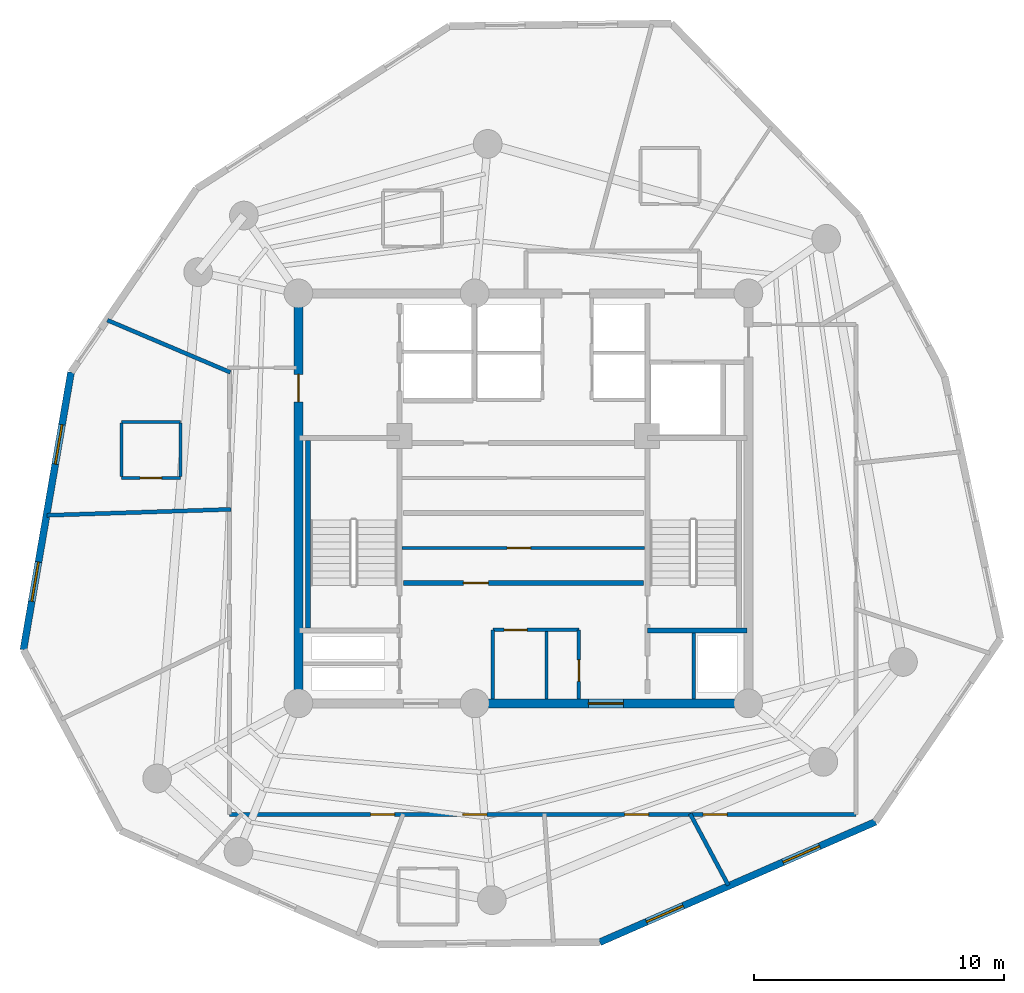
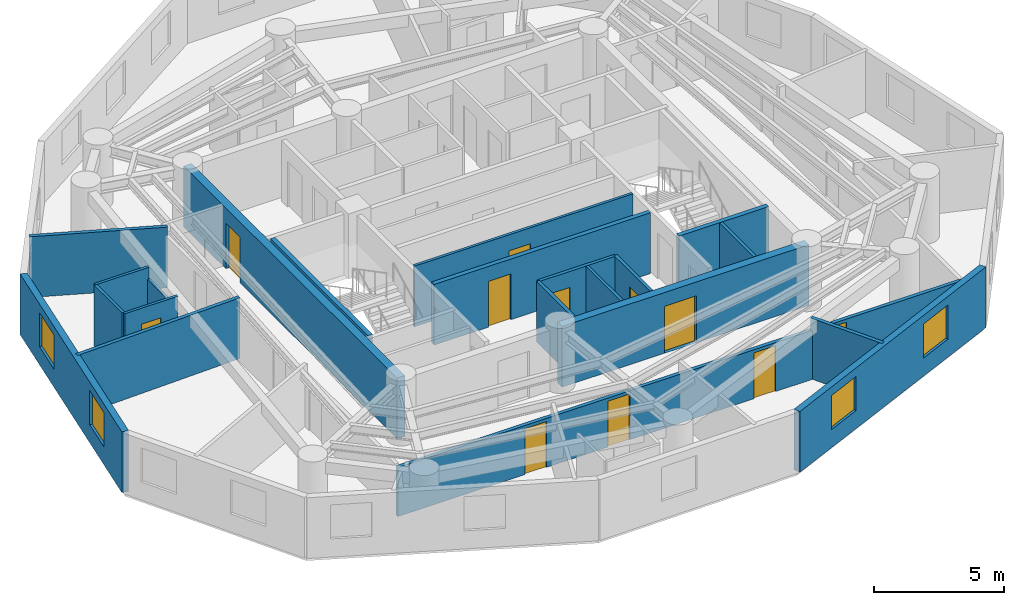
# One storey, part 3 of 7: 21 walls, 11 doors, 4 windows, 15 openings.
"""IFC4 building model written with IfcOpenShell, lengths in metres."""

from ifc_helpers import new_model, si_unit, direction, frame, frame_2d, origin, origin_with_axes, place, context, subcontext, project, spatial, rectangle, extrude, source, transform, mapped, material, layer, layer_set, type_object, element, fill, save


model = new_model("IFC4")

# Units and contexts
model_context = context("Model", 3, precision=1e-05, world=origin(), true_north=direction((0.0, 1.0)))
body_context = subcontext(model_context, "Body", "Model", "MODEL_VIEW")
ifc_project = project(units=[si_unit("LENGTHUNIT", "METRE"), si_unit("AREAUNIT", "SQUARE_METRE"), si_unit("VOLUMEUNIT", "CUBIC_METRE"), si_unit("PLANEANGLEUNIT", "RADIAN"), si_unit("MASSUNIT", "GRAM", prefix="KILO")], contexts=[model_context])

# Site, building, storey
site_placement = place(None, origin())
site = spatial("IfcSite", under=ifc_project, at=site_placement, CompositionType="ELEMENT")
building_placement = place(site_placement, origin())
building = spatial("IfcBuilding", under=site, at=building_placement, Name="Karkom Vertical University and Central Library", CompositionType="ELEMENT")
storey_placement = place(building_placement, frame((0.0, 0.0, 256.550048828125)))
storey = spatial("IfcBuildingStorey", under=building, at=storey_placement, Name="L76", CompositionType="ELEMENT", Elevation=256.550048828125)

# Wall, openings, windows
ifc_material_1 = material(Name="Brick-faced precast concrete C45/55", Category="masonry")
ifc_layer_1 = layer(ifc_material_1, 0.280029296875)
ifc_layer_set_1 = layer_set([ifc_layer_1], Name="Brick-faced precast concrete C45/55")
wall_type_1 = type_object("IfcWallType", Name="ENV-WL-BRK-280", PredefinedType="SOLIDWALL", material=ifc_layer_set_1)
wall_1_placement = place(storey_placement, frame((31.553955078125, 8.74560546875, 0.0), z_axis=(0.0, 0.0, 1.0), x_axis=(0.916405758195, 0.400250529477, 0.0)))
wall_1 = element("IfcWall", 1, at=wall_1_placement, inside=storey, type_object=wall_type_1, Name="Level 76 Brick-Faced Precast Facade Wall 04", PredefinedType="SOLIDWALL", context=body_context, shape_type="SweptSolid", body=[
    extrude(rectangle(XDim=12.035888671875, YDim=0.280029296875, at=frame_2d((6.01806640625, 0.0))), origin(), (0.0, 0.0, 1.0), 2.849853515625),
])
opening_1_placement = place(wall_1_placement, frame((2.041015625, 0.0, 0.85009765625)))
opening_1 = element("IfcOpeningElement", 2, at=opening_1_placement, cuts=wall_1, Name="Opening WN-10", PredefinedType="OPENING", context=body_context, shape_type="SweptSolid", body=[
    extrude(rectangle(XDim=1.60009765625, YDim=1.60009765625, at=frame_2d((0.800048828125, 0.800048828125))), frame((0.0, 0.14990234375, 0.0), z_axis=(0.0, -1.0, 0.0), x_axis=(1.0, 0.0, 0.0)), (0.0, 0.0, 1.0), 0.300048828125),
])
opening_2_placement = place(wall_1_placement, frame((7.998779296875, 0.0, 0.85009765625)))
opening_2 = element("IfcOpeningElement", 3, at=opening_2_placement, cuts=wall_1, Name="Opening WN-10", PredefinedType="OPENING", context=body_context, shape_type="SweptSolid", body=[
    extrude(rectangle(XDim=1.60009765625, YDim=1.60009765625, at=frame_2d((0.800048828125, 0.800048828125))), frame((0.0, 0.14990234375, 0.0), z_axis=(0.0, -1.0, 0.0), x_axis=(1.0, 0.0, 0.0)), (0.0, 0.0, 1.0), 0.300048828125),
])
ifc_material_2 = material(Name="Aluminium thermal-break frame with solar-control IGU", Category="aluminium")
window_type = type_object("IfcWindowType", Name="ENV-WIN-WN-10", PartitioningType="SINGLE_PANEL", PredefinedType="WINDOW", material=ifc_material_2)
shared_shape_1 = source(origin_with_axes(), body_context, "Body", "SweptSolid", [
    extrude(rectangle(XDim=1.60009765625, YDim=1.60009765625, at=frame_2d((0.800048828125, 0.800048828125))), frame((0.0, 0.030029296875, 0.0), z_axis=(0.0, -1.0, 0.0), x_axis=(1.0, 0.0, 0.0)), (0.0, 0.0, 1.0), 0.06005859375),
])
window_1_placement = place(opening_1_placement, origin())
window_1 = element("IfcWindow", 4, at=window_1_placement, inside=storey, type_object=window_type, Name="Level 76 Punched Window 4.1", OverallHeight=1.60009765625, OverallWidth=1.60009765625, PartitioningType="SINGLE_PANEL", PredefinedType="WINDOW", context=body_context, shape_type="MappedRepresentation", body=[
    mapped(shared_shape_1, transform((0.0, 0.0, 0.0), scale=1.0)),
])
fill(opening_1, window_1)
window_2_placement = place(opening_2_placement, origin())
window_2 = element("IfcWindow", 5, at=window_2_placement, inside=storey, type_object=window_type, Name="Level 76 Punched Window 4.2", OverallHeight=1.60009765625, OverallWidth=1.60009765625, PartitioningType="SINGLE_PANEL", PredefinedType="WINDOW", context=body_context, shape_type="MappedRepresentation", body=[
    mapped(shared_shape_1, transform((0.0, 0.0, 0.0), scale=1.0)),
])
fill(opening_2, window_2)

wall_2_placement = place(storey_placement, frame((10.405517578125, 31.546142578125, 0.0), z_axis=(0.0, 0.0, 1.0), x_axis=(-0.168983062071, -0.985618955141, 0.0)))
wall_2 = element("IfcWall", 6, at=wall_2_placement, inside=storey, type_object=wall_type_1, Name="Level 76 Brick-Faced Precast Facade Wall 12", PredefinedType="SOLIDWALL", context=body_context, shape_type="SweptSolid", body=[
    extrude(rectangle(XDim=11.266357421875, YDim=0.280029296875, at=frame_2d((5.63330078125, 0.0))), origin(), (0.0, 0.0, 1.0), 2.849853515625),
])
opening_3_placement = place(wall_2_placement, frame((2.12744140625, 0.0, 0.85009765625)))
opening_3 = element("IfcOpeningElement", 7, at=opening_3_placement, cuts=wall_2, Name="Opening WN-10", PredefinedType="OPENING", context=body_context, shape_type="SweptSolid", body=[
    extrude(rectangle(XDim=1.60009765625, YDim=1.60009765625, at=frame_2d((0.800048828125, 0.800048828125))), frame((0.0, 0.14990234375, 0.0), z_axis=(0.0, -1.0, 0.0), x_axis=(1.0, 0.0, 0.0)), (0.0, 0.0, 1.0), 0.300048828125),
])
opening_4_placement = place(wall_2_placement, frame((7.70068359375, 0.0, 0.85009765625)))
opening_4 = element("IfcOpeningElement", 8, at=opening_4_placement, cuts=wall_2, Name="Opening WN-10", PredefinedType="OPENING", context=body_context, shape_type="SweptSolid", body=[
    extrude(rectangle(XDim=1.60009765625, YDim=1.60009765625, at=frame_2d((0.800048828125, 0.800048828125))), frame((0.0, 0.14990234375, 0.0), z_axis=(0.0, -1.0, 0.0), x_axis=(1.0, 0.0, 0.0)), (0.0, 0.0, 1.0), 0.300048828125),
])
window_3_placement = place(opening_3_placement, origin())
window_3 = element("IfcWindow", 9, at=window_3_placement, inside=storey, type_object=window_type, Name="Level 76 Punched Window 12.1", OverallHeight=1.60009765625, OverallWidth=1.60009765625, PartitioningType="SINGLE_PANEL", PredefinedType="WINDOW", context=body_context, shape_type="MappedRepresentation", body=[
    mapped(shared_shape_1, transform((0.0, 0.0, 0.0), scale=1.0)),
])
fill(opening_3, window_3)
window_4_placement = place(opening_4_placement, origin())
window_4 = element("IfcWindow", 10, at=window_4_placement, inside=storey, type_object=window_type, Name="Level 76 Punched Window 12.2", OverallHeight=1.60009765625, OverallWidth=1.60009765625, PartitioningType="SINGLE_PANEL", PredefinedType="WINDOW", context=body_context, shape_type="MappedRepresentation", body=[
    mapped(shared_shape_1, transform((0.0, 0.0, 0.0), scale=1.0)),
])
fill(opening_4, window_4)

# Wall, openings, doors
ifc_material_3 = material(Name="Insulated metal-stud drywall 160mm", Category="gypsum")
ifc_layer_2 = layer(ifc_material_3, 0.159912109375)
ifc_layer_set_2 = layer_set([ifc_layer_2], Name="Insulated metal-stud drywall 160mm")
wall_type_2 = type_object("IfcWallType", Name="INT-WL-COR-160", PredefinedType="PARTITIONING", material=ifc_layer_set_2)
wall_3_placement = place(storey_placement, frame((41.800048828125, 13.85009765625, 0.0), z_axis=(0.0, 0.0, 1.0), x_axis=(-1.0, 0.0, 0.0)))
wall_3 = element("IfcWall", 11, at=wall_3_placement, inside=storey, type_object=wall_type_2, Name="Level 76 Interior Partition Wall L76-CORW-CW-001", PredefinedType="PARTITIONING", context=body_context, shape_type="SweptSolid", body=[
    extrude(rectangle(XDim=25.050048828125, YDim=0.159912109375, at=frame_2d((12.52490234375, 0.0))), origin(), (0.0, 0.0, 1.0), 2.300048828125),
])
opening_5_placement = place(wall_3_placement, frame((14.7626953125, 0.0, 0.0)))
opening_5 = element("IfcOpeningElement", 12, at=opening_5_placement, cuts=wall_3, Name="Opening FD-RM2", PredefinedType="OPENING", context=body_context, shape_type="SweptSolid", body=[
    extrude(rectangle(XDim=0.9599609375, YDim=2.14990234375, at=frame_2d((0.47998046875, 1.074951171875))), frame((0.0, 0.08984375, 0.0), z_axis=(0.0, -1.0, 0.0), x_axis=(1.0, 0.0, 0.0)), (0.0, 0.0, 1.0), 0.179931640625),
])
opening_6_placement = place(wall_3_placement, frame((18.452392578125, 0.0, 0.0)))
opening_6 = element("IfcOpeningElement", 13, at=opening_6_placement, cuts=wall_3, Name="Opening FD-RM2", PredefinedType="OPENING", context=body_context, shape_type="SweptSolid", body=[
    extrude(rectangle(XDim=0.9599609375, YDim=2.14990234375, at=frame_2d((0.47998046875, 1.074951171875))), frame((0.0, 0.08984375, 0.0), z_axis=(0.0, -1.0, 0.0), x_axis=(1.0, 0.0, 0.0)), (0.0, 0.0, 1.0), 0.179931640625),
])
opening_7_placement = place(wall_3_placement, frame((8.29248046875, 0.0, 0.0)))
opening_7 = element("IfcOpeningElement", 14, at=opening_7_placement, cuts=wall_3, Name="Opening FD-RM2", PredefinedType="OPENING", context=body_context, shape_type="SweptSolid", body=[
    extrude(rectangle(XDim=0.9599609375, YDim=2.14990234375, at=frame_2d((0.47998046875, 1.074951171875))), frame((0.0, 0.08984375, 0.0), z_axis=(0.0, -1.0, 0.0), x_axis=(1.0, 0.0, 0.0)), (0.0, 0.0, 1.0), 0.179931640625),
])
opening_8_placement = place(wall_3_placement, frame((5.1474609375, 0.0, 0.0)))
opening_8 = element("IfcOpeningElement", 15, at=opening_8_placement, cuts=wall_3, Name="Opening FD-RM2", PredefinedType="OPENING", context=body_context, shape_type="SweptSolid", body=[
    extrude(rectangle(XDim=0.9599609375, YDim=2.14990234375, at=frame_2d((0.47998046875, 1.074951171875))), frame((0.0, 0.08984375, 0.0), z_axis=(0.0, -1.0, 0.0), x_axis=(1.0, 0.0, 0.0)), (0.0, 0.0, 1.0), 0.179931640625),
])
ifc_material_4 = material(Name="Fire-rated oak veneer door", Category="wood")
door_type_1 = type_object("IfcDoorType", Name="INT-DR-FRM2", OperationType="NOTDEFINED", PredefinedType="DOOR", material=ifc_material_4)
shared_shape_2 = source(origin_with_axes(), body_context, "Body", "SweptSolid", [
    extrude(rectangle(XDim=0.9599609375, YDim=2.14990234375, at=frame_2d((0.47998046875, 1.074951171875))), frame((0.0, 0.02490234375, 0.0), z_axis=(0.0, -1.0, 0.0), x_axis=(1.0, 0.0, 0.0)), (0.0, 0.0, 1.0), 0.050048828125),
])
door_1_placement = place(opening_5_placement, origin())
door_1 = element("IfcDoor", 16, at=door_1_placement, inside=storey, type_object=door_type_1, Name="Level 76 Room Entry Door 406", OperationType="SINGLE_SWING_RIGHT", OverallHeight=2.14990234375, OverallWidth=0.9599609375, PredefinedType="DOOR", context=body_context, shape_type="MappedRepresentation", body=[
    mapped(shared_shape_2, transform((0.0, 0.0, 0.0), scale=1.0)),
])
fill(opening_5, door_1)
door_2_placement = place(opening_6_placement, origin())
door_2 = element("IfcDoor", 17, at=door_2_placement, inside=storey, type_object=door_type_1, Name="Level 76 Room Entry Door 302", OperationType="SINGLE_SWING_RIGHT", OverallHeight=2.14990234375, OverallWidth=0.9599609375, PredefinedType="DOOR", context=body_context, shape_type="MappedRepresentation", body=[
    mapped(shared_shape_2, transform((0.0, 0.0, 0.0), scale=1.0)),
])
fill(opening_6, door_2)
door_3_placement = place(opening_7_placement, origin())
door_3 = element("IfcDoor", 18, at=door_3_placement, inside=storey, type_object=door_type_1, Name="Level 76 Room Entry Door 304", OperationType="SINGLE_SWING_LEFT", OverallHeight=2.14990234375, OverallWidth=0.9599609375, PredefinedType="DOOR", context=body_context, shape_type="MappedRepresentation", body=[
    mapped(shared_shape_2, transform((0.0, 0.0, 0.0), scale=1.0)),
])
fill(opening_7, door_3)
door_4_placement = place(opening_8_placement, origin())
door_4 = element("IfcDoor", 19, at=door_4_placement, inside=storey, type_object=door_type_1, Name="Level 76 Room Entry Door 305", OperationType="SINGLE_SWING_RIGHT", OverallHeight=2.14990234375, OverallWidth=0.9599609375, PredefinedType="DOOR", context=body_context, shape_type="MappedRepresentation", body=[
    mapped(shared_shape_2, transform((0.0, 0.0, 0.0), scale=1.0)),
])
fill(opening_8, door_4)

# Walls
wall_4_placement = place(storey_placement, frame((9.450927734375, 25.823486328125, 0.0), z_axis=(0.0, 0.0, 1.0), x_axis=(0.999477313038, 0.032328017605, 0.0)))
element("IfcWall", 20, at=wall_4_placement, inside=storey, type_object=wall_type_2, Name="Level 76 Interior Partition Wall L76-PW-002", PredefinedType="PARTITIONING", context=body_context, shape_type="SweptSolid", body=[
    extrude(rectangle(XDim=7.34814453125, YDim=0.159912109375, at=frame_2d((3.674072265625, 0.0))), origin(), (0.0, 0.0, 1.0), 2.849853515625),
])
wall_5_placement = place(storey_placement, frame((16.777587890625, 31.541015625, 0.0), z_axis=(0.0, 0.0, 1.0), x_axis=(-0.920498619333, 0.390745814829, 0.0)))
element("IfcWall", 21, at=wall_5_placement, inside=storey, type_object=wall_type_2, Name="Level 76 Interior Partition Wall L76-PW-013", PredefinedType="PARTITIONING", context=body_context, shape_type="SweptSolid", body=[
    extrude(rectangle(XDim=5.3427734375, YDim=0.159912109375, at=frame_2d((2.67138671875, 0.0))), origin(), (0.0, 0.0, 1.0), 2.849853515625),
])
wall_6_placement = place(storey_placement, frame((35.165771484375, 13.8896484375, 0.0), z_axis=(0.0, 0.0, 1.0), x_axis=(0.471094475936, -0.882082759577, 0.0)))
element("IfcWall", 22, at=wall_6_placement, inside=storey, type_object=wall_type_2, Name="Level 76 Interior Partition Wall L76-PW-008", PredefinedType="PARTITIONING", context=body_context, shape_type="SweptSolid", body=[
    extrude(rectangle(XDim=3.25341796875, YDim=0.159912109375, at=frame_2d((1.626708984375, 0.0))), origin(), (0.0, 0.0, 1.0), 2.849853515625),
])
ifc_material_5 = material(Name="Moisture-resistant drywall 120mm", Category="gypsum")
ifc_layer_3 = layer(ifc_material_5, 0.1201171875)
ifc_layer_set_3 = layer_set([ifc_layer_3], Name="Moisture-resistant drywall 120mm")
wall_type_3 = type_object("IfcWallType", Name="INT-WL-INT-120", PredefinedType="PARTITIONING", material=ifc_layer_set_3)
wall_7_placement = place(storey_placement, frame((29.419921875, 18.48193359375, 0.0), z_axis=(0.0, 0.0, 1.0), x_axis=(0.0, 1.0, 0.0)))
element("IfcWall", 23, at=wall_7_placement, inside=storey, type_object=wall_type_3, Name="Level 76 Interior Partition Wall L76-CW-K3-DIV", PredefinedType="PARTITIONING", context=body_context, shape_type="SweptSolid", body=[
    extrude(rectangle(XDim=2.687255859375, YDim=0.1201171875, at=frame_2d((1.34375, 0.0))), origin(), (0.0, 0.0, 1.0), 2.849853515625),
])

# Wall, opening, door
ifc_layer_4 = layer(ifc_material_5, 0.1201171875)
ifc_layer_set_4 = layer_set([ifc_layer_4], Name="Moisture-resistant drywall 120mm")
wall_type_4 = type_object("IfcWallType", Name="INT-WL-INT-120F", PredefinedType="PARTITIONING", material=ifc_layer_set_4)
wall_8_placement = place(storey_placement, frame((23.652099609375, 24.52001953125, 0.0), z_axis=(0.0, 0.0, 1.0), x_axis=(1.0, 0.0, 0.0)))
wall_8 = element("IfcWall", 24, at=wall_8_placement, inside=storey, type_object=wall_type_4, Name="Level 76 Interior Partition Wall L76-CW-B1-K3H", PredefinedType="PARTITIONING", context=body_context, shape_type="SweptSolid", body=[
    extrude(rectangle(XDim=9.697509765625, YDim=0.1201171875, at=frame_2d((4.8486328125, 0.0))), origin(), (0.0, 0.0, 1.0), 2.849853515625),
])
opening_9_placement = place(wall_8_placement, frame((4.199951171875, 0.0, 0.0)))
opening_9 = element("IfcOpeningElement", 25, at=opening_9_placement, cuts=wall_8, Name="Opening D-WC1", PredefinedType="OPENING", context=body_context, shape_type="SweptSolid", body=[
    extrude(rectangle(XDim=0.93994140625, YDim=2.10009765625, at=frame_2d((0.469970703125, 1.050048828125))), frame((0.0, 0.070068359375, 0.0), z_axis=(0.0, -1.0, 0.0), x_axis=(1.0, 0.0, 0.0)), (0.0, 0.0, 1.0), 0.14013671875),
])
ifc_material_6 = material(Name="Fire-rated laminate moisture-resistant door", Category="wood")
door_type_2 = type_object("IfcDoorType", Name="INT-DR-WC1", OperationType="NOTDEFINED", PredefinedType="DOOR", material=ifc_material_6)
shared_shape_3 = source(origin_with_axes(), body_context, "Body", "SweptSolid", [
    extrude(rectangle(XDim=0.93994140625, YDim=2.10009765625, at=frame_2d((0.469970703125, 1.050048828125))), frame((0.0, 0.02490234375, 0.0), z_axis=(0.0, -1.0, 0.0), x_axis=(1.0, 0.0, 0.0)), (0.0, 0.0, 1.0), 0.050048828125),
])
door_5_placement = place(opening_9_placement, origin())
door_5 = element("IfcDoor", 26, at=door_5_placement, inside=storey, type_object=door_type_2, Name="Level 76 B1 Core WC Strip Door", OperationType="SINGLE_SWING_LEFT", OverallHeight=2.10009765625, OverallWidth=0.93994140625, PredefinedType="DOOR", context=body_context, shape_type="MappedRepresentation", body=[
    mapped(shared_shape_3, transform((0.0, 0.0, 0.0), scale=1.0)),
])
fill(opening_9, door_5)

wall_9_placement = place(storey_placement, frame((12.41796875, 27.319091796875, 0.0), z_axis=(0.0, 0.0, 1.0), x_axis=(1.0, 0.0, 0.0)))
wall_9 = element("IfcWall", 27, at=wall_9_placement, inside=storey, type_object=wall_type_4, Name="Level 76 Interior Partition Wall L76-ENS-50-S", PredefinedType="PARTITIONING", context=body_context, shape_type="SweptSolid", body=[
    extrude(rectangle(XDim=2.360107421875, YDim=0.1201171875, at=frame_2d((1.18017578125, 0.0))), origin(), (0.0, 0.0, 1.0), 2.849853515625),
])
opening_10_placement = place(wall_9_placement, frame((0.75, 0.0, 0.0)))
opening_10 = element("IfcOpeningElement", 28, at=opening_10_placement, cuts=wall_9, Name="Opening D-BATH", PredefinedType="OPENING", context=body_context, shape_type="SweptSolid", body=[
    extrude(rectangle(XDim=0.860107421875, YDim=2.10009765625, at=frame_2d((0.43017578125, 1.050048828125))), frame((0.0, 0.070068359375, 0.0), z_axis=(0.0, -1.0, 0.0), x_axis=(1.0, 0.0, 0.0)), (0.0, 0.0, 1.0), 0.14013671875),
])
ifc_material_7 = material(Name="Moisture-resistant oak door", Category="wood")
door_type_3 = type_object("IfcDoorType", Name="INT-DR-BATH", OperationType="NOTDEFINED", PredefinedType="DOOR", material=ifc_material_7)
shared_shape_4 = source(origin_with_axes(), body_context, "Body", "SweptSolid", [
    extrude(rectangle(XDim=0.860107421875, YDim=2.10009765625, at=frame_2d((0.43017578125, 1.050048828125))), frame((0.0, 0.02490234375, 0.0), z_axis=(0.0, -1.0, 0.0), x_axis=(1.0, 0.0, 0.0)), (0.0, 0.0, 1.0), 0.050048828125),
])
door_6_placement = place(opening_10_placement, origin())
door_6 = element("IfcDoor", 29, at=door_6_placement, inside=storey, type_object=door_type_3, Name="Level 76 En-Suite Bathroom Door 50", OperationType="SINGLE_SWING_RIGHT", OverallHeight=2.10009765625, OverallWidth=0.860107421875, PredefinedType="DOOR", context=body_context, shape_type="MappedRepresentation", body=[
    mapped(shared_shape_4, transform((0.0, 0.0, 0.0), scale=1.0)),
])
fill(opening_10, door_6)

# Walls
wall_10_placement = place(storey_placement, frame((14.778076171875, 29.55908203125, 0.0), z_axis=(0.0, 0.0, 1.0), x_axis=(-1.0, 0.0, 0.0)))
element("IfcWall", 30, at=wall_10_placement, inside=storey, type_object=wall_type_4, Name="Level 76 Interior Partition Wall L76-ENS-50-N", PredefinedType="PARTITIONING", context=body_context, shape_type="SweptSolid", body=[
    extrude(rectangle(XDim=2.360107421875, YDim=0.1201171875, at=frame_2d((1.18017578125, 0.0))), origin(), (0.0, 0.0, 1.0), 2.849853515625),
])
wall_11_placement = place(storey_placement, frame((14.778076171875, 27.368896484375, 0.0), z_axis=(0.0, 0.0, 1.0), x_axis=(0.0, 1.0, 0.0)))
element("IfcWall", 31, at=wall_11_placement, inside=storey, type_object=wall_type_4, Name="Level 76 Interior Partition Wall L76-ENS-50-E", PredefinedType="PARTITIONING", context=body_context, shape_type="SweptSolid", body=[
    extrude(rectangle(XDim=2.14013671875, YDim=0.1201171875, at=frame_2d((1.070068359375, 0.0))), origin(), (0.0, 0.0, 1.0), 2.300048828125),
])
wall_12_placement = place(storey_placement, frame((12.41796875, 29.509033203125, 0.0), z_axis=(0.0, 0.0, 1.0), x_axis=(0.0, -1.0, 0.0)))
element("IfcWall", 32, at=wall_12_placement, inside=storey, type_object=wall_type_4, Name="Level 76 Interior Partition Wall L76-ENS-50-W", PredefinedType="PARTITIONING", context=body_context, shape_type="SweptSolid", body=[
    extrude(rectangle(XDim=2.14013671875, YDim=0.1201171875, at=frame_2d((1.070068359375, 0.0))), origin(), (0.0, 0.0, 1.0), 2.849853515625),
])

# Wall, opening, door
ifc_material_8 = material(Name="Metal-stud gypsum partition 140mm", Category="gypsum")
ifc_layer_5 = layer(ifc_material_8, 0.139892578125)
ifc_layer_set_5 = layer_set([ifc_layer_5], Name="Metal-stud gypsum partition 140mm")
wall_type_5 = type_object("IfcWallType", Name="INT-WL-SUB-140", PredefinedType="PARTITIONING", material=ifc_layer_set_5)
wall_13_placement = place(storey_placement, frame((27.280029296875, 21.239990234375, 0.0), z_axis=(0.0, 0.0, 1.0), x_axis=(1.0, 0.0, 0.0)))
wall_13 = element("IfcWall", 33, at=wall_13_placement, inside=storey, type_object=wall_type_5, Name="Level 76 Interior Partition Wall L76-CW-KBAY-N", PredefinedType="PARTITIONING", context=body_context, shape_type="SweptSolid", body=[
    extrude(rectangle(XDim=3.43994140625, YDim=0.139892578125, at=frame_2d((1.719970703125, 0.0))), origin(), (0.0, 0.0, 1.0), 2.849853515625),
])
opening_11_placement = place(wall_13_placement, frame((0.449951171875, 0.0, 0.0)))
opening_11 = element("IfcOpeningElement", 34, at=opening_11_placement, cuts=wall_13, Name="Opening D-SVC1", PredefinedType="OPENING", context=body_context, shape_type="SweptSolid", body=[
    extrude(rectangle(XDim=0.919921875, YDim=2.10009765625, at=frame_2d((0.4599609375, 1.050048828125))), frame((0.0, 0.080078125, 0.0), z_axis=(0.0, -1.0, 0.0), x_axis=(1.0, 0.0, 0.0)), (0.0, 0.0, 1.0), 0.159912109375),
])
ifc_material_9 = material(Name="Painted timber service door", Category="wood")
door_type_4 = type_object("IfcDoorType", Name="INT-DR-SVC1", OperationType="NOTDEFINED", PredefinedType="DOOR", material=ifc_material_9)
shared_shape_5 = source(origin_with_axes(), body_context, "Body", "SweptSolid", [
    extrude(rectangle(XDim=0.919921875, YDim=2.10009765625, at=frame_2d((0.4599609375, 1.050048828125))), frame((0.0, 0.02490234375, 0.0), z_axis=(0.0, -1.0, 0.0), x_axis=(1.0, 0.0, 0.0)), (0.0, 0.0, 1.0), 0.050048828125),
])
door_7_placement = place(opening_11_placement, origin())
door_7 = element("IfcDoor", 35, at=door_7_placement, inside=storey, type_object=door_type_4, Name="Level 76 Copy Room Door", OperationType="SINGLE_SWING_RIGHT", OverallHeight=2.10009765625, OverallWidth=0.919921875, PredefinedType="DOOR", context=body_context, shape_type="MappedRepresentation", body=[
    mapped(shared_shape_5, transform((0.0, 0.0, 0.0), scale=1.0)),
])
fill(opening_11, door_7)

# Wall
wall_14_placement = place(storey_placement, frame((27.280029296875, 18.48193359375, 0.0), z_axis=(0.0, 0.0, 1.0), x_axis=(0.0, 1.0, 0.0)))
element("IfcWall", 36, at=wall_14_placement, inside=storey, type_object=wall_type_5, Name="Level 76 Interior Partition Wall L76-CW-KBAY-W", PredefinedType="PARTITIONING", context=body_context, shape_type="SweptSolid", body=[
    extrude(rectangle(XDim=2.758056640625, YDim=0.139892578125, at=frame_2d((1.37890625, 0.0))), origin(), (0.0, 0.0, 1.0), 2.849853515625),
])

# Wall, opening, door
wall_15_placement = place(storey_placement, frame((30.719970703125, 18.48193359375, 0.0), z_axis=(0.0, 0.0, 1.0), x_axis=(0.0, 1.0, 0.0)))
wall_15 = element("IfcWall", 37, at=wall_15_placement, inside=storey, type_object=wall_type_5, Name="Level 76 Interior Partition Wall L76-CW-KBAY-E", PredefinedType="PARTITIONING", context=body_context, shape_type="SweptSolid", body=[
    extrude(rectangle(XDim=2.758056640625, YDim=0.139892578125, at=frame_2d((1.37890625, 0.0))), origin(), (0.0, 0.0, 1.0), 2.849853515625),
])
opening_12_placement = place(wall_15_placement, frame((0.699951171875, 0.0, 0.0)))
opening_12 = element("IfcOpeningElement", 38, at=opening_12_placement, cuts=wall_15, Name="Opening D-BATH", PredefinedType="OPENING", context=body_context, shape_type="SweptSolid", body=[
    extrude(rectangle(XDim=0.860107421875, YDim=2.10009765625, at=frame_2d((0.43017578125, 1.050048828125))), frame((0.0, 0.080078125, 0.0), z_axis=(0.0, -1.0, 0.0), x_axis=(1.0, 0.0, 0.0)), (0.0, 0.0, 1.0), 0.159912109375),
])
door_8_placement = place(opening_12_placement, origin())
door_8 = element("IfcDoor", 39, at=door_8_placement, inside=storey, type_object=door_type_3, Name="Level 76 Janitor Door", OperationType="SINGLE_SWING_LEFT", OverallHeight=2.10009765625, OverallWidth=0.860107421875, PredefinedType="DOOR", context=body_context, shape_type="MappedRepresentation", body=[
    mapped(shared_shape_4, transform((0.0, 0.0, 0.0), scale=1.0)),
])
fill(opening_12, door_8)

# Wall
ifc_layer_6 = layer(ifc_material_8, 0.139892578125)
ifc_layer_set_6 = layer_set([ifc_layer_6], Name="Metal-stud gypsum partition 140mm")
wall_type_6 = type_object("IfcWallType", Name="INT-WL-SUB-140H", PredefinedType="PARTITIONING", material=ifc_layer_set_6)
wall_16_placement = place(storey_placement, frame((35.320068359375, 18.48193359375, 0.0), z_axis=(0.0, 0.0, 1.0), x_axis=(0.0, 1.0, 0.0)))
element("IfcWall", 40, at=wall_16_placement, inside=storey, type_object=wall_type_6, Name="Level 76 Interior Partition Wall L76-CW-RIS-E", PredefinedType="PARTITIONING", context=body_context, shape_type="SweptSolid", body=[
    extrude(rectangle(XDim=2.629150390625, YDim=0.139892578125, at=frame_2d((1.314453125, 0.0))), origin(), (0.0, 0.0, 1.0), 2.849853515625),
])

# Wall, opening, door
ifc_material_10 = material(Name="Concrete C45/55", Category="concrete")
ifc_layer_7 = layer(ifc_material_10, 0.35009765625)
ifc_layer_set_7 = layer_set([ifc_layer_7], Name="Concrete C45/55")
wall_type_7 = type_object("IfcWallType", Name="STR-WL-CW-350", PredefinedType="SHEAR", material=ifc_layer_set_7)
wall_17_placement = place(storey_placement, frame((26.550048828125, 18.300048828125, 0.0), z_axis=(0.0, 0.0, 1.0), x_axis=(1.0, 0.0, 0.0)))
wall_17 = element("IfcWall", 41, at=wall_17_placement, inside=storey, type_object=wall_type_7, Name="Level 76 Central Core Shear Wall SW2", PredefinedType="SHEAR", context=body_context, shape_type="SweptSolid", body=[
    extrude(rectangle(XDim=10.949951171875, YDim=0.35009765625, at=frame_2d((5.47509765625, 0.0))), origin(), (0.0, 0.0, 1.0), 2.849853515625),
])
opening_13_placement = place(wall_17_placement, frame((4.550048828125, 0.0, 0.0)))
opening_13 = element("IfcOpeningElement", 42, at=opening_13_placement, cuts=wall_17, Name="Opening FD-CLB", PredefinedType="OPENING", context=body_context, shape_type="SweptSolid", body=[
    extrude(rectangle(XDim=1.39990234375, YDim=2.199951171875, at=frame_2d((0.699951171875, 1.10009765625))), frame((0.0, 0.18505859375, 0.0), z_axis=(0.0, -1.0, 0.0), x_axis=(1.0, 0.0, 0.0)), (0.0, 0.0, 1.0), 0.3701171875),
])
ifc_material_11 = material(Name="Painted steel fire door", Category="steel")
door_type_5 = type_object("IfcDoorType", Name="INT-DR-CLB", OperationType="DOUBLE_DOOR_SINGLE_SWING", PredefinedType="DOOR", material=ifc_material_11)
shared_shape_6 = source(origin_with_axes(), body_context, "Body", "SweptSolid", [
    extrude(rectangle(XDim=1.39990234375, YDim=2.199951171875, at=frame_2d((0.699951171875, 1.10009765625))), frame((0.0, 0.02490234375, 0.0), z_axis=(0.0, -1.0, 0.0), x_axis=(1.0, 0.0, 0.0)), (0.0, 0.0, 1.0), 0.050048828125),
])
door_9_placement = place(opening_13_placement, origin())
door_9 = element("IfcDoor", 43, at=door_9_placement, inside=storey, type_object=door_type_5, Name="Level 76 South Core Lobby East Exit Door", OperationType="DOUBLE_DOOR_SINGLE_SWING", OverallHeight=2.199951171875, OverallWidth=1.39990234375, PredefinedType="DOOR", context=body_context, shape_type="MappedRepresentation", body=[
    mapped(shared_shape_6, transform((0.0, 0.0, 0.0), scale=1.0)),
])
fill(opening_13, door_9)

wall_18_placement = place(storey_placement, frame((19.5, 34.699951171875, 0.0), z_axis=(0.0, 0.0, 1.0), x_axis=(0.0, -1.0, 0.0)))
wall_18 = element("IfcWall", 44, at=wall_18_placement, inside=storey, type_object=wall_type_7, Name="Level 76 Central Core Shear Wall WW", PredefinedType="SHEAR", context=body_context, shape_type="SweptSolid", body=[
    extrude(rectangle(XDim=16.39990234375, YDim=0.35009765625, at=frame_2d((8.199951171875, 0.0))), origin(), (0.0, 0.0, 1.0), 2.849853515625),
])
opening_14_placement = place(wall_18_placement, frame((3.239990234375, 0.0, 0.0)))
opening_14 = element("IfcOpeningElement", 45, at=opening_14_placement, cuts=wall_18, Name="Opening FD-FFL", PredefinedType="OPENING", context=body_context, shape_type="SweptSolid", body=[
    extrude(rectangle(XDim=1.10009765625, YDim=2.14990234375, at=frame_2d((0.550048828125, 1.074951171875))), frame((0.0, 0.18505859375, 0.0), z_axis=(0.0, -1.0, 0.0), x_axis=(1.0, 0.0, 0.0)), (0.0, 0.0, 1.0), 0.3701171875),
])
ifc_material_12 = material(Name="Painted steel smoke-seal fire door", Category="steel")
door_type_6 = type_object("IfcDoorType", Name="INT-DR-FFL", OperationType="NOTDEFINED", PredefinedType="DOOR", material=ifc_material_12)
shared_shape_7 = source(origin_with_axes(), body_context, "Body", "SweptSolid", [
    extrude(rectangle(XDim=1.10009765625, YDim=2.14990234375, at=frame_2d((0.550048828125, 1.074951171875))), frame((0.0, 0.02490234375, 0.0), z_axis=(0.0, -1.0, 0.0), x_axis=(1.0, 0.0, 0.0)), (0.0, 0.0, 1.0), 0.050048828125),
])
door_10_placement = place(opening_14_placement, origin())
door_10 = element("IfcDoor", 46, at=door_10_placement, inside=storey, type_object=door_type_6, Name="Level 76 West Corridor Firefighting Lobby Door", OperationType="SINGLE_SWING_RIGHT", OverallHeight=2.14990234375, OverallWidth=1.10009765625, PredefinedType="DOOR", context=body_context, shape_type="MappedRepresentation", body=[
    mapped(shared_shape_7, transform((0.0, 0.0, 0.0), scale=1.0)),
])
fill(opening_14, door_10)

ifc_layer_8 = layer(ifc_material_10, 0.199951171875)
ifc_layer_set_8 = layer_set([ifc_layer_8], Name="Concrete C45/55")
wall_type_8 = type_object("IfcWallType", Name="STR-WL-ST-200", PredefinedType="SHEAR", material=ifc_layer_set_8)
wall_19_placement = place(storey_placement, frame((23.699951171875, 23.1201171875, 0.0), z_axis=(0.0, 0.0, 1.0), x_axis=(1.0, 0.0, 0.0)))
wall_19 = element("IfcWall", 47, at=wall_19_placement, inside=storey, type_object=wall_type_8, Name="Level 76 Core Shaft Wall L76-CW-B1-S", PredefinedType="SHEAR", context=body_context, shape_type="SweptSolid", body=[
    extrude(rectangle(XDim=9.60009765625, YDim=0.199951171875, at=frame_2d((4.800048828125, 0.0))), origin(), (0.0, 0.0, 1.0), 2.849853515625),
])
opening_15_placement = place(wall_19_placement, frame((2.39990234375, 0.0, 0.0)))
opening_15 = element("IfcOpeningElement", 48, at=opening_15_placement, cuts=wall_19, Name="Opening D-STR1", PredefinedType="OPENING", context=body_context, shape_type="SweptSolid", body=[
    extrude(rectangle(XDim=1.0, YDim=2.14990234375, at=frame_2d((0.5, 1.074951171875))), frame((0.0, 0.10986328125, 0.0), z_axis=(0.0, -1.0, 0.0), x_axis=(1.0, 0.0, 0.0)), (0.0, 0.0, 1.0), 0.219970703125),
])
ifc_material_13 = material(Name="Solid-core hardwood fire door", Category="wood")
door_type_7 = type_object("IfcDoorType", Name="INT-DR-STR1", OperationType="NOTDEFINED", PredefinedType="DOOR", material=ifc_material_13)
shared_shape_8 = source(origin_with_axes(), body_context, "Body", "SweptSolid", [
    extrude(rectangle(XDim=1.0, YDim=2.14990234375, at=frame_2d((0.5, 1.074951171875))), frame((0.0, 0.02490234375, 0.0), z_axis=(0.0, -1.0, 0.0), x_axis=(1.0, 0.0, 0.0)), (0.0, 0.0, 1.0), 0.050048828125),
])
door_11_placement = place(opening_15_placement, origin())
door_11 = element("IfcDoor", 49, at=door_11_placement, inside=storey, type_object=door_type_7, Name="Level 76 B1 Archive Strip Door", OperationType="SINGLE_SWING_RIGHT", OverallHeight=2.14990234375, OverallWidth=1.0, PredefinedType="DOOR", context=body_context, shape_type="MappedRepresentation", body=[
    mapped(shared_shape_8, transform((0.0, 0.0, 0.0), scale=1.0)),
])
fill(opening_15, door_11)

# Walls
wall_20_placement = place(storey_placement, frame((19.875, 21.320068359375, 0.0), z_axis=(0.0, 0.0, 1.0), x_axis=(0.0, 1.0, 0.0)))
element("IfcWall", 50, at=wall_20_placement, inside=storey, type_object=wall_type_8, Name="Level 76 Core Shaft Wall L76-CW-ST1-W", PredefinedType="SHEAR", context=body_context, shape_type="SweptSolid", body=[
    extrude(rectangle(XDim=7.5, YDim=0.199951171875, at=frame_2d((3.75, 0.0))), origin(), (0.0, 0.0, 1.0), 2.849853515625),
])
wall_21_placement = place(storey_placement, frame((33.455078125, 21.215087890625, 0.0), z_axis=(0.0, 0.0, 1.0), x_axis=(1.0, 0.0, 0.0)))
element("IfcWall", 51, at=wall_21_placement, inside=storey, type_object=wall_type_8, Name="Level 76 Core Shaft Wall L76-CW-ST2-S", PredefinedType="SHEAR", context=body_context, shape_type="SweptSolid", body=[
    extrude(rectangle(XDim=3.994873046875, YDim=0.199951171875, at=frame_2d((1.99755859375, 0.0))), origin(), (0.0, 0.0, 1.0), 2.849853515625),
])

save(model, "model.ifc")
